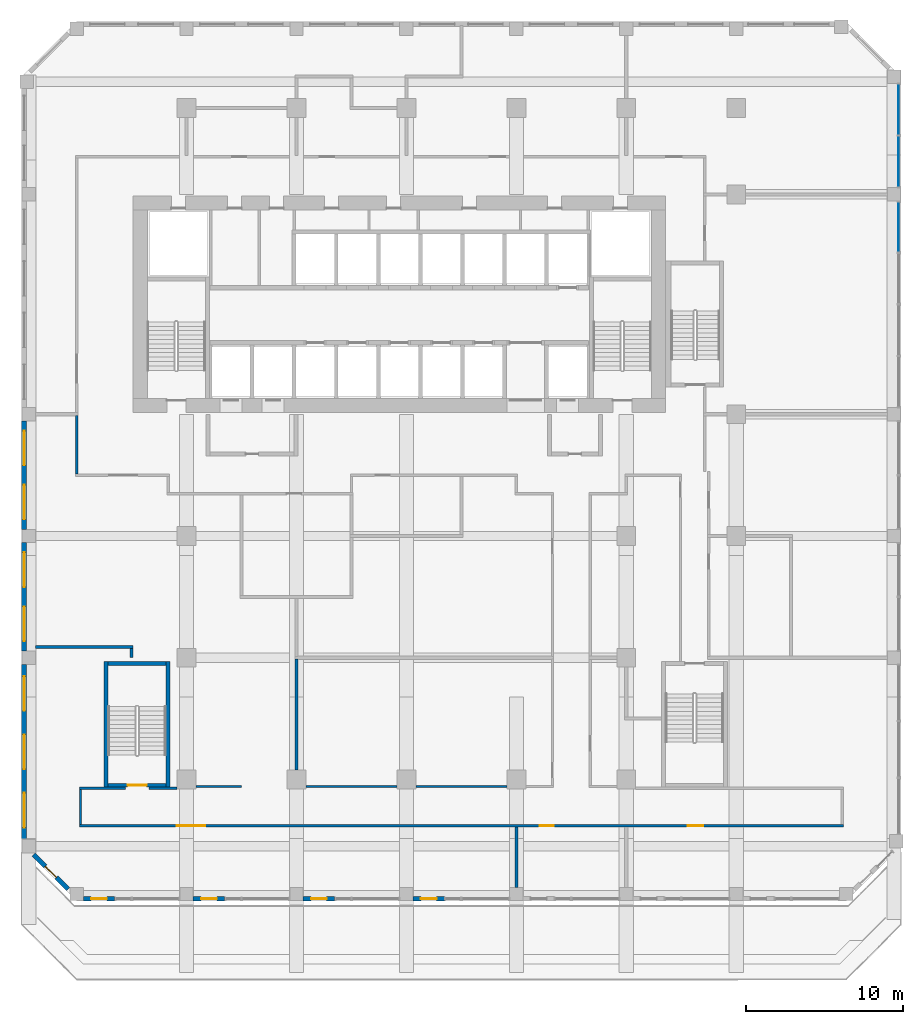
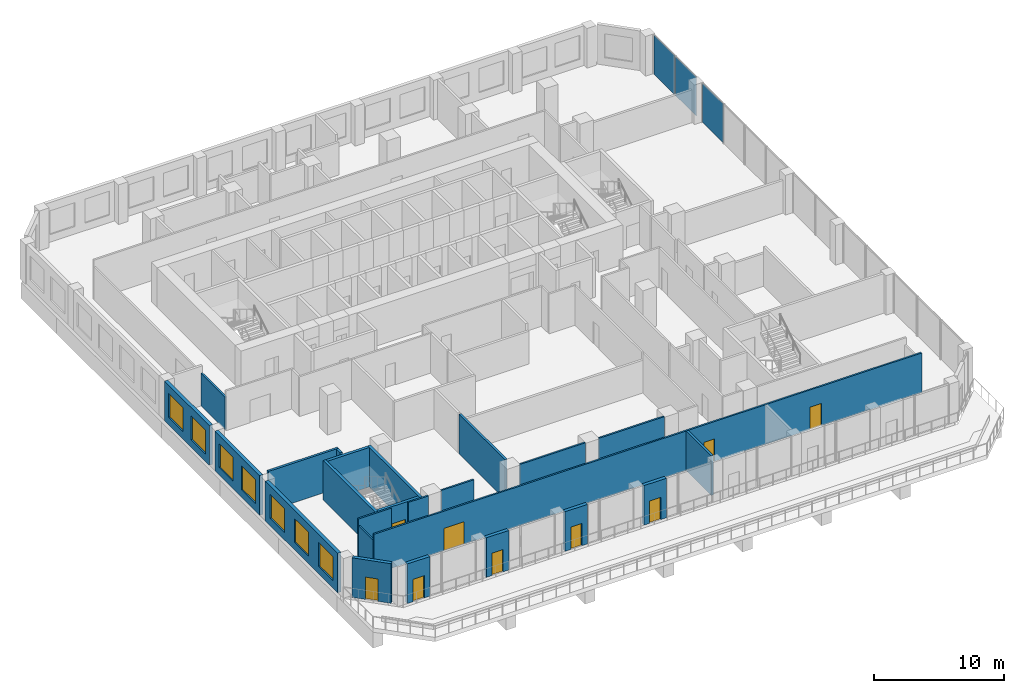
# One storey, part 9 of 17: 24 walls, 9 doors, 7 windows, 3 plates, 16 openings, 3 elements without a shape of their own.
"""IFC4 building model written with IfcOpenShell, lengths in metres."""

from ifc_helpers import new_model, si_unit, direction, frame, frame_2d, origin, origin_2d, place, context, subcontext, project, spatial, rectangle, extrude, source, transform, mapped, material, layer, layer_set, type_object, element, fill, aggregate, save


model = new_model("IFC4")

# Units and contexts
model_context = context("Model", 3, precision=1e-05, world=origin(), true_north=direction((0.0, 1.0)))
body_context = subcontext(model_context, "Body", "Model", "MODEL_VIEW")
ifc_project = project(units=[si_unit("LENGTHUNIT", "METRE"), si_unit("AREAUNIT", "SQUARE_METRE"), si_unit("VOLUMEUNIT", "CUBIC_METRE"), si_unit("PLANEANGLEUNIT", "RADIAN"), si_unit("MASSUNIT", "GRAM", prefix="KILO")], contexts=[model_context])

# Site, building, storey
site_placement = place(None, origin())
site = spatial("IfcSite", under=ifc_project, at=site_placement, CompositionType="ELEMENT")
building_placement = place(site_placement, origin())
building = spatial("IfcBuilding", under=site, at=building_placement, Name="Kilnfold Tower and Market Hall", CompositionType="ELEMENT")
storey_placement = place(building_placement, frame((0.0, 0.0, 100.60009765625)))
storey = spatial("IfcBuildingStorey", under=building, at=storey_placement, Name="L23", CompositionType="ELEMENT", Elevation=100.60009765625)

# Curtain wall, plate
ifc_material_1 = material(Name="Aluminium and double glazing", Category="aluminium")
curtain_wall_type = type_object("IfcCurtainWallType", Name="CW OF2 VALLEY GLAZING", PredefinedType="NOTDEFINED", material=ifc_material_1)
curtain_wall_1_placement = place(storey_placement, origin())
curtain_wall_1 = element("IfcCurtainWall", 1, at=curtain_wall_1_placement, inside=storey, type_object=curtain_wall_type, Name="Curtain wall CW2 L23 E", PredefinedType="NOTDEFINED")
ifc_material_2 = material(Name="Double glazed unit")
ifc_layer_1 = layer(ifc_material_2, 0.031982421875)
ifc_layer_set_1 = layer_set([ifc_layer_1], Name="Double glazed unit")
plate_type = type_object("IfcPlateType", Name="GLAZING PANEL 32", PredefinedType="CURTAIN_PANEL", material=ifc_layer_set_1)
shared_shape_1 = source(origin(), body_context, "Body", "SweptSolid", [
    extrude(rectangle(XDim=3.16748046875, YDim=0.031982421875, at=origin_2d()), origin(), (0.0, 0.0, 1.0), 3.659912109375),
])
plate_1_placement = place(storey_placement, frame((32.85009765625, 19.93115234375, 0.0), z_axis=(0.0, 0.0, 1.0), x_axis=(0.0, 1.0, 0.0)))
plate_1 = element("IfcPlate", 2, at=plate_1_placement, type_object=plate_type, Name="CW2 panel 1.1", PredefinedType="CURTAIN_PANEL", context=body_context, shape_type="MappedRepresentation", body=[
    mapped(shared_shape_1, transform((0.0, 0.0, 0.0))),
])
aggregate(curtain_wall_1, [plate_1])

curtain_wall_2_placement = place(storey_placement, origin())
curtain_wall_2 = element("IfcCurtainWall", 3, at=curtain_wall_2_placement, inside=storey, type_object=curtain_wall_type, Name="Curtain wall CW2 L23 E", PredefinedType="NOTDEFINED")
shared_shape_2 = source(origin(), body_context, "Body", "SweptSolid", [
    extrude(rectangle(XDim=3.205078125, YDim=0.031982421875, at=origin_2d()), origin(), (0.0, 0.0, 1.0), 3.659912109375),
])
plate_2_placement = place(storey_placement, frame((32.85009765625, 24.08740234375, 0.0), z_axis=(0.0, 0.0, 1.0), x_axis=(0.0, 1.0, 0.0)))
plate_2 = element("IfcPlate", 4, at=plate_2_placement, type_object=plate_type, Name="CW2 panel 1.1", PredefinedType="CURTAIN_PANEL", context=body_context, shape_type="MappedRepresentation", body=[
    mapped(shared_shape_2, transform((0.0, 0.0, 0.0))),
])
aggregate(curtain_wall_2, [plate_2])

curtain_wall_3_placement = place(storey_placement, origin())
curtain_wall_3 = element("IfcCurtainWall", 5, at=curtain_wall_3_placement, inside=storey, type_object=curtain_wall_type, Name="Curtain wall CW2 L23 E", PredefinedType="NOTDEFINED")
plate_3_placement = place(storey_placement, frame((32.85009765625, 27.41259765625, 0.0), z_axis=(0.0, 0.0, 1.0), x_axis=(0.0, 1.0, 0.0)))
plate_3 = element("IfcPlate", 6, at=plate_3_placement, type_object=plate_type, Name="CW2 panel 1.1", PredefinedType="CURTAIN_PANEL", context=body_context, shape_type="MappedRepresentation", body=[
    mapped(shared_shape_2, transform((0.0, 0.0, 0.0))),
])
aggregate(curtain_wall_3, [plate_3])

# Walls
ifc_material_3 = material(Name="Gypsum board on steel studs", Category="steel")
ifc_layer_2 = layer(ifc_material_3, 0.14990234375)
ifc_layer_set_2 = layer_set([ifc_layer_2], Name="Gypsum board on steel studs")
wall_type_1 = type_object("IfcWallType", Name="WALL CORRIDOR 150", PredefinedType="PARTITIONING", material=ifc_layer_set_2)
wall_1_placement = place(storey_placement, frame((-14.89990234375, -15.824951171875, 0.0), z_axis=(0.0, 0.0, 1.0), x_axis=(1.0, 0.0, 0.0)))
element("IfcWall", 7, at=wall_1_placement, inside=storey, type_object=wall_type_1, Name="Partition LY16.1", PredefinedType="PARTITIONING", context=body_context, shape_type="SweptSolid", body=[
    extrude(rectangle(XDim=1.7998046875, YDim=0.14990234375, at=frame_2d((0.89990234375, 0.0))), origin(), (0.0, 0.0, 1.0), 3.719970703125),
])
wall_2_placement = place(storey_placement, frame((-11.89990234375, -15.699951171875, 0.0), z_axis=(0.0, 0.0, 1.0), x_axis=(1.0, 0.0, 0.0)))
element("IfcWall", 8, at=wall_2_placement, inside=storey, type_object=wall_type_1, Name="Partition LY16.2", PredefinedType="PARTITIONING", context=body_context, shape_type="SweptSolid", body=[
    extrude(rectangle(XDim=2.909912109375, YDim=0.14990234375, at=frame_2d((1.455078125, 0.0))), origin(), (0.0, 0.0, 1.0), 3.719970703125),
])
wall_3_placement = place(storey_placement, frame((-19.5, 4.199951171875, 0.0), z_axis=(0.0, 0.0, 1.0), x_axis=(0.0, 1.0, 0.0)))
element("IfcWall", 9, at=wall_3_placement, inside=storey, type_object=wall_type_1, Name="Partition LY16.6", PredefinedType="PARTITIONING", context=body_context, shape_type="SweptSolid", body=[
    extrude(rectangle(XDim=3.7099609375, YDim=0.14990234375, at=frame_2d((1.85498046875, 0.0))), origin(), (0.0, 0.0, 1.0), 3.06982421875),
])

# Wall, openings, doors
wall_4_placement = place(storey_placement, frame((-19.324951171875, -18.199951171875, 0.0), z_axis=(0.0, 0.0, 1.0), x_axis=(1.0, 0.0, 0.0)))
wall_4 = element("IfcWall", 10, at=wall_4_placement, inside=storey, type_object=wall_type_1, Name="Partition LY16.7", PredefinedType="PARTITIONING", context=body_context, shape_type="SweptSolid", body=[
    extrude(rectangle(XDim=48.64990234375, YDim=0.14990234375, at=frame_2d((24.324951171875, 0.0))), origin(), (0.0, 0.0, 1.0), 3.719970703125),
])
opening_1_placement = place(wall_4_placement, frame((6.2080078125, 0.0, 0.0)))
opening_1 = element("IfcOpeningElement", 11, at=opening_1_placement, cuts=wall_4, Name="Opening D5", PredefinedType="OPENING", context=body_context, shape_type="SweptSolid", body=[
    extrude(rectangle(XDim=1.800048828125, YDim=2.10009765625, at=frame_2d((0.89990234375, 1.050048828125))), frame((0.0, 0.0849609375, 0.0), z_axis=(0.0, -1.0, 0.0), x_axis=(1.0, 0.0, 0.0)), (0.0, 0.0, 1.0), 0.169921875),
])
opening_2_placement = place(wall_4_placement, frame((29.320068359375, 0.0, 0.0)))
opening_2 = element("IfcOpeningElement", 12, at=opening_2_placement, cuts=wall_4, Name="Opening D2", PredefinedType="OPENING", context=body_context, shape_type="SweptSolid", body=[
    extrude(rectangle(XDim=0.89990234375, YDim=2.10009765625, at=frame_2d((0.449951171875, 1.050048828125))), frame((0.0, 0.0849609375, 0.0), z_axis=(0.0, -1.0, 0.0), x_axis=(1.0, 0.0, 0.0)), (0.0, 0.0, 1.0), 0.169921875),
])
opening_3_placement = place(wall_4_placement, frame((38.72509765625, 0.0, 0.0)))
opening_3 = element("IfcOpeningElement", 13, at=opening_3_placement, cuts=wall_4, Name="Opening D1", PredefinedType="OPENING", context=body_context, shape_type="SweptSolid", body=[
    extrude(rectangle(XDim=1.0, YDim=2.10009765625, at=frame_2d((0.5, 1.050048828125))), frame((0.0, 0.0849609375, 0.0), z_axis=(0.0, -1.0, 0.0), x_axis=(1.0, 0.0, 0.0)), (0.0, 0.0, 1.0), 0.169921875),
])
ifc_material_4 = material(Name="Timber veneer door leaf in steel frame", Category="steel")
door_type_1 = type_object("IfcDoorType", Name="DOOR DOUBLE 1800 X2100", OperationType="NOTDEFINED", PredefinedType="DOOR", material=ifc_material_4)
door_1_placement = place(opening_1_placement, origin())
door_1 = element("IfcDoor", 14, at=door_1_placement, inside=storey, type_object=door_type_1, Name="Door D5", OperationType="DOUBLE_DOOR_SINGLE_SWING", OverallHeight=2.10009765625, OverallWidth=1.800048828125, PredefinedType="DOOR", context=body_context, shape_type="SweptSolid", body=[
    extrude(rectangle(XDim=1.800048828125, YDim=2.10009765625, at=frame_2d((0.89990234375, 1.050048828125))), frame((0.0, 0.02490234375, 0.0), z_axis=(0.0, -1.0, 0.0), x_axis=(1.0, 0.0, 0.0)), (0.0, 0.0, 1.0), 0.050048828125),
])
fill(opening_1, door_1)
ifc_material_5 = material(Name="Timber veneer door leaf in steel frame", Category="steel")
door_type_2 = type_object("IfcDoorType", Name="DOOR ENTRY 1000 X2100", OperationType="NOTDEFINED", PredefinedType="DOOR", material=ifc_material_5)
door_2_placement = place(opening_3_placement, origin())
door_2 = element("IfcDoor", 15, at=door_2_placement, inside=storey, type_object=door_type_2, Name="Door D1", OperationType="SINGLE_SWING_RIGHT", OverallHeight=2.10009765625, OverallWidth=1.0, PredefinedType="DOOR", context=body_context, shape_type="SweptSolid", body=[
    extrude(rectangle(XDim=1.0, YDim=2.10009765625, at=frame_2d((0.5, 1.050048828125))), frame((0.0, 0.02490234375, 0.0), z_axis=(0.0, -1.0, 0.0), x_axis=(1.0, 0.0, 0.0)), (0.0, 0.0, 1.0), 0.050048828125),
])
fill(opening_3, door_2)
ifc_material_6 = material(Name="Timber veneer door leaf in steel frame", Category="steel")
door_type_3 = type_object("IfcDoorType", Name="DOOR ROOM 900 X2100", OperationType="NOTDEFINED", PredefinedType="DOOR", material=ifc_material_6)
door_3_placement = place(opening_2_placement, origin())
door_3 = element("IfcDoor", 16, at=door_3_placement, inside=storey, type_object=door_type_3, Name="Door D2", OperationType="SINGLE_SWING_RIGHT", OverallHeight=2.10009765625, OverallWidth=0.89990234375, PredefinedType="DOOR", context=body_context, shape_type="SweptSolid", body=[
    extrude(rectangle(XDim=0.89990234375, YDim=2.10009765625, at=frame_2d((0.449951171875, 1.050048828125))), frame((0.0, 0.02490234375, 0.0), z_axis=(0.0, -1.0, 0.0), x_axis=(1.0, 0.0, 0.0)), (0.0, 0.0, 1.0), 0.050048828125),
])
fill(opening_2, door_3)

# Walls
wall_5_placement = place(storey_placement, frame((-19.25, -15.89990234375, 0.0), z_axis=(0.0, 0.0, 1.0), x_axis=(0.0, -1.0, 0.0)))
element("IfcWall", 17, at=wall_5_placement, inside=storey, type_object=wall_type_1, Name="Partition LY16.8", PredefinedType="PARTITIONING", context=body_context, shape_type="SweptSolid", body=[
    extrude(rectangle(XDim=2.22509765625, YDim=0.14990234375, at=frame_2d((1.112548828125, 0.0))), origin(), (0.0, 0.0, 1.0), 3.06982421875),
])
wall_6_placement = place(storey_placement, frame((-19.324951171875, -15.824951171875, 0.0), z_axis=(0.0, 0.0, 1.0), x_axis=(1.0, 0.0, 0.0)))
element("IfcWall", 18, at=wall_6_placement, inside=storey, type_object=wall_type_1, Name="Partition LY16.9", PredefinedType="PARTITIONING", context=body_context, shape_type="SweptSolid", body=[
    extrude(rectangle(XDim=2.925048828125, YDim=0.14990234375, at=frame_2d((1.46240234375, 0.0))), origin(), (0.0, 0.0, 1.0), 3.719970703125),
])
for number, where, z_axis, x_axis, name in (
    (19, (-4.89990234375, -15.699951171875, 0.0), (0.0, 0.0, 1.0), (1.0, 0.0, 0.0), "Partition LY16.12"),
    (20, (2.10009765625, -15.699951171875, 0.0), (0.0, 0.0, 1.0), (1.0, 0.0, 0.0), "Partition LY16.13"),
):
    element("IfcWall", number, at=place(storey_placement, frame(where, z_axis=z_axis, x_axis=x_axis)), inside=storey, type_object=wall_type_1, Name=name, PredefinedType="PARTITIONING", context=body_context, shape_type="SweptSolid", body=[
        extrude(rectangle(XDim=5.7998046875, YDim=0.14990234375, at=frame_2d((2.89990234375, 0.0))), origin(), (0.0, 0.0, 1.0), 3.719970703125),
    ])
ifc_material_7 = material(Name="Gypsum board on steel studs", Category="steel")
ifc_layer_3 = layer(ifc_material_7, 0.199951171875)
ifc_layer_set_3 = layer_set([ifc_layer_3], Name="Gypsum board on steel studs")
wall_type_2 = type_object("IfcWallType", Name="WALL PARTY 200", PredefinedType="PARTITIONING", material=ifc_layer_set_3)
wall_7_placement = place(storey_placement, frame((-15.998046875, -6.91796875, 0.0), z_axis=(0.0, 0.0, 1.0), x_axis=(0.0, -1.0, 0.0)))
element("IfcWall", 21, at=wall_7_placement, inside=storey, type_object=wall_type_2, Name="Partition LY16.38", PredefinedType="PARTITIONING", context=body_context, shape_type="SweptSolid", body=[
    extrude(rectangle(XDim=0.583984375, YDim=0.199951171875, at=frame_2d((0.2919921875, 0.0))), origin(), (0.0, 0.0, 1.0), 3.719970703125),
])
wall_8_placement = place(storey_placement, frame((-22.126953125, -6.818115234375, 0.0), z_axis=(0.0, 0.0, 1.0), x_axis=(1.0, 0.0, 0.0)))
element("IfcWall", 22, at=wall_8_placement, inside=storey, type_object=wall_type_2, Name="Partition LY16.39", PredefinedType="PARTITIONING", context=body_context, shape_type="SweptSolid", body=[
    extrude(rectangle(XDim=6.22900390625, YDim=0.199951171875, at=frame_2d((3.114501953125, 0.0))), origin(), (0.0, 0.0, 1.0), 3.719970703125),
])
wall_9_placement = place(storey_placement, frame((-5.5, -14.64990234375, 0.0), z_axis=(0.0, 0.0, 1.0), x_axis=(0.0, 1.0, 0.0)))
element("IfcWall", 23, at=wall_9_placement, inside=storey, type_object=wall_type_2, Name="Partition LY16.40", PredefinedType="PARTITIONING", context=body_context, shape_type="SweptSolid", body=[
    extrude(rectangle(XDim=7.059814453125, YDim=0.199951171875, at=frame_2d((3.52978515625, 0.0))), origin(), (0.0, 0.0, 1.0), 3.719970703125),
])
wall_10_placement = place(storey_placement, frame((8.5, -22.125, 0.0), z_axis=(0.0, 0.0, 1.0), x_axis=(0.0, 1.0, 0.0)))
element("IfcWall", 24, at=wall_10_placement, inside=storey, type_object=wall_type_2, Name="Partition LY16.45", PredefinedType="PARTITIONING", context=body_context, shape_type="SweptSolid", body=[
    extrude(rectangle(XDim=3.84912109375, YDim=0.199951171875, at=frame_2d((1.924560546875, 0.0))), origin(), (0.0, 0.0, 1.0), 3.719970703125),
])

# Wall, opening, door
ifc_material_8 = material(Name="Concrete C70", Category="concrete")
ifc_layer_4 = layer(ifc_material_8, 0.25)
ifc_layer_set_4 = layer_set([ifc_layer_4], Name="Concrete C70")
wall_type_3 = type_object("IfcWallType", Name="CORE WALL 250 C70", PredefinedType="SHEAR", material=ifc_layer_set_4)
shared_shape_3 = source(origin(), body_context, "Body", "SweptSolid", [
    extrude(rectangle(XDim=3.699951171875, YDim=0.25, at=frame_2d((1.85009765625, 0.0))), origin(), (0.0, 0.0, 1.0), 3.719970703125),
])
wall_11_placement = place(storey_placement, frame((-17.5, -15.625, 0.0), z_axis=(0.0, 0.0, 1.0), x_axis=(1.0, 0.0, 0.0)))
wall_11 = element("IfcWall", 25, at=wall_11_placement, inside=storey, type_object=wall_type_3, Name="Stair enclosure ST3", PredefinedType="SHEAR", context=body_context, shape_type="MappedRepresentation", body=[
    mapped(shared_shape_3, transform((0.0, 0.0, 0.0))),
])
opening_4_placement = place(wall_11_placement, frame((1.25, 0.0, 0.0)))
opening_4 = element("IfcOpeningElement", 26, at=opening_4_placement, cuts=wall_11, Name="Opening SD1", PredefinedType="OPENING", context=body_context, shape_type="SweptSolid", body=[
    extrude(rectangle(XDim=1.199951171875, YDim=2.10009765625, at=frame_2d((0.60009765625, 1.050048828125))), frame((0.0, 0.135009765625, 0.0), z_axis=(0.0, -1.0, 0.0), x_axis=(1.0, 0.0, 0.0)), (0.0, 0.0, 1.0), 0.27001953125),
])
ifc_material_9 = material(Name="Steel door set with fire-resisting leaf", Category="steel")
door_type_4 = type_object("IfcDoorType", Name="STAIR FLOOR DOOR 1200X2100", OperationType="NOTDEFINED", PredefinedType="DOOR", material=ifc_material_9)
door_4_placement = place(opening_4_placement, origin())
door_4 = element("IfcDoor", 27, at=door_4_placement, inside=storey, type_object=door_type_4, Name="Exit stair ST3 door", OperationType="DOUBLE_DOOR_SINGLE_SWING", OverallHeight=2.10009765625, OverallWidth=1.199951171875, PredefinedType="DOOR", context=body_context, shape_type="SweptSolid", body=[
    extrude(rectangle(XDim=1.199951171875, YDim=2.10009765625, at=frame_2d((0.60009765625, 1.050048828125))), frame((0.0, 0.02490234375, 0.0), z_axis=(0.0, -1.0, 0.0), x_axis=(1.0, 0.0, 0.0)), (0.0, 0.0, 1.0), 0.050048828125),
])
fill(opening_4, door_4)

# Walls
wall_12_placement = place(storey_placement, frame((-17.5, -7.875, 0.0), z_axis=(0.0, 0.0, 1.0), x_axis=(1.0, 0.0, 0.0)))
element("IfcWall", 28, at=wall_12_placement, inside=storey, type_object=wall_type_3, Name="Stair enclosure ST3", PredefinedType="SHEAR", context=body_context, shape_type="MappedRepresentation", body=[
    mapped(shared_shape_3, transform((0.0, 0.0, 0.0))),
])
shared_shape_4 = source(origin(), body_context, "Body", "SweptSolid", [
    extrude(rectangle(XDim=8.0, YDim=0.25, at=frame_2d((4.0, 0.0))), origin(), (0.0, 0.0, 1.0), 3.719970703125),
])
for number, where, z_axis, x_axis, name in (
    (29, (-17.625, -15.75, 0.0), (0.0, 0.0, 1.0), (0.0, 1.0, 0.0), "Stair enclosure ST3"),
    (30, (-13.675048828125, -15.75, 0.0), (0.0, 0.0, 1.0), (0.0, 1.0, 0.0), "Stair enclosure ST3"),
):
    element("IfcWall", number, at=place(storey_placement, frame(where, z_axis=z_axis, x_axis=x_axis)), inside=storey, type_object=wall_type_3, Name=name, PredefinedType="SHEAR", context=body_context, shape_type="MappedRepresentation", body=[
        mapped(shared_shape_4, transform((0.0, 0.0, 0.0))),
    ])

# Wall, opening, door
ifc_material_10 = material(Name="Precast concrete C50/60", Category="concrete")
ifc_layer_5 = layer(ifc_material_10, 0.300048828125)
ifc_layer_set_5 = layer_set([ifc_layer_5], Name="Precast concrete C50/60")
wall_type_4 = type_object("IfcWallType", Name="PRECAST WALL 300", PredefinedType="SOLIDWALL", material=ifc_layer_set_5)
shared_shape_5 = source(origin(), body_context, "Body", "SweptSolid", [
    extrude(rectangle(XDim=2.0, YDim=0.300048828125, at=frame_2d((1.0, 0.0))), origin(), (0.0, 0.0, 1.0), 3.719970703125),
])
wall_13_placement = place(storey_placement, frame((-19.074951171875, -22.85009765625, 0.0), z_axis=(0.0, 0.0, 1.0), x_axis=(1.0, 0.0, 0.0)))
wall_13 = element("IfcWall", 31, at=wall_13_placement, inside=storey, type_object=wall_type_4, Name="External wall L23 S", PredefinedType="SOLIDWALL", context=body_context, shape_type="MappedRepresentation", body=[
    mapped(shared_shape_5, transform((0.0, 0.0, 0.0))),
])
opening_5_placement = place(wall_13_placement, frame((0.5, 0.0, 0.0)))
opening_5 = element("IfcOpeningElement", 32, at=opening_5_placement, cuts=wall_13, Name="Opening BD1", PredefinedType="OPENING", context=body_context, shape_type="SweptSolid", body=[
    extrude(rectangle(XDim=1.0, YDim=2.10009765625, at=frame_2d((0.5, 1.050048828125))), frame((0.0, 0.16015625, 0.0), z_axis=(0.0, -1.0, 0.0), x_axis=(1.0, 0.0, 0.0)), (0.0, 0.0, 1.0), 0.320068359375),
])
ifc_material_11 = material(Name="Aluminium frame and double glazing", Category="aluminium")
door_type_5 = type_object("IfcDoorType", Name="BALCONY DOOR 1000X2100", OperationType="NOTDEFINED", PredefinedType="DOOR", material=ifc_material_11)
door_5_placement = place(opening_5_placement, origin())
door_5 = element("IfcDoor", 33, at=door_5_placement, inside=storey, type_object=door_type_5, Name="Balcony door BD1 L23 S-1", OperationType="SINGLE_SWING_LEFT", OverallHeight=2.10009765625, OverallWidth=1.0, PredefinedType="DOOR", context=body_context, shape_type="SweptSolid", body=[
    extrude(rectangle(XDim=1.0, YDim=2.10009765625, at=frame_2d((0.5, 1.050048828125))), frame((0.0, 0.02490234375, 0.0), z_axis=(0.0, -1.0, 0.0), x_axis=(1.0, 0.0, 0.0)), (0.0, 0.0, 1.0), 0.050048828125),
])
fill(opening_5, door_5)

wall_14_placement = place(storey_placement, frame((-12.074951171875, -22.85009765625, 0.0), z_axis=(0.0, 0.0, 1.0), x_axis=(1.0, 0.0, 0.0)))
wall_14 = element("IfcWall", 34, at=wall_14_placement, inside=storey, type_object=wall_type_4, Name="External wall L23 S", PredefinedType="SOLIDWALL", context=body_context, shape_type="MappedRepresentation", body=[
    mapped(shared_shape_5, transform((0.0, 0.0, 0.0))),
])
opening_6_placement = place(wall_14_placement, frame((0.5, 0.0, 0.0)))
opening_6 = element("IfcOpeningElement", 35, at=opening_6_placement, cuts=wall_14, Name="Opening BD1", PredefinedType="OPENING", context=body_context, shape_type="SweptSolid", body=[
    extrude(rectangle(XDim=1.0, YDim=2.10009765625, at=frame_2d((0.5, 1.050048828125))), frame((0.0, 0.16015625, 0.0), z_axis=(0.0, -1.0, 0.0), x_axis=(1.0, 0.0, 0.0)), (0.0, 0.0, 1.0), 0.320068359375),
])
door_6_placement = place(opening_6_placement, origin())
door_6 = element("IfcDoor", 36, at=door_6_placement, inside=storey, type_object=door_type_5, Name="Balcony door BD1 L23 S-1", OperationType="SINGLE_SWING_LEFT", OverallHeight=2.10009765625, OverallWidth=1.0, PredefinedType="DOOR", context=body_context, shape_type="SweptSolid", body=[
    extrude(rectangle(XDim=1.0, YDim=2.10009765625, at=frame_2d((0.5, 1.050048828125))), frame((0.0, 0.02490234375, 0.0), z_axis=(0.0, -1.0, 0.0), x_axis=(1.0, 0.0, 0.0)), (0.0, 0.0, 1.0), 0.050048828125),
])
fill(opening_6, door_6)

wall_15_placement = place(storey_placement, frame((-5.074951171875, -22.85009765625, 0.0), z_axis=(0.0, 0.0, 1.0), x_axis=(1.0, 0.0, 0.0)))
wall_15 = element("IfcWall", 37, at=wall_15_placement, inside=storey, type_object=wall_type_4, Name="External wall L23 S", PredefinedType="SOLIDWALL", context=body_context, shape_type="MappedRepresentation", body=[
    mapped(shared_shape_5, transform((0.0, 0.0, 0.0))),
])
opening_7_placement = place(wall_15_placement, frame((0.5, 0.0, 0.0)))
opening_7 = element("IfcOpeningElement", 38, at=opening_7_placement, cuts=wall_15, Name="Opening BD1", PredefinedType="OPENING", context=body_context, shape_type="SweptSolid", body=[
    extrude(rectangle(XDim=1.0, YDim=2.10009765625, at=frame_2d((0.5, 1.050048828125))), frame((0.0, 0.16015625, 0.0), z_axis=(0.0, -1.0, 0.0), x_axis=(1.0, 0.0, 0.0)), (0.0, 0.0, 1.0), 0.320068359375),
])
door_7_placement = place(opening_7_placement, origin())
door_7 = element("IfcDoor", 39, at=door_7_placement, inside=storey, type_object=door_type_5, Name="Balcony door BD1 L23 S-1", OperationType="SINGLE_SWING_LEFT", OverallHeight=2.10009765625, OverallWidth=1.0, PredefinedType="DOOR", context=body_context, shape_type="SweptSolid", body=[
    extrude(rectangle(XDim=1.0, YDim=2.10009765625, at=frame_2d((0.5, 1.050048828125))), frame((0.0, 0.02490234375, 0.0), z_axis=(0.0, -1.0, 0.0), x_axis=(1.0, 0.0, 0.0)), (0.0, 0.0, 1.0), 0.050048828125),
])
fill(opening_7, door_7)

wall_16_placement = place(storey_placement, frame((1.925048828125, -22.85009765625, 0.0), z_axis=(0.0, 0.0, 1.0), x_axis=(1.0, 0.0, 0.0)))
wall_16 = element("IfcWall", 40, at=wall_16_placement, inside=storey, type_object=wall_type_4, Name="External wall L23 S", PredefinedType="SOLIDWALL", context=body_context, shape_type="MappedRepresentation", body=[
    mapped(shared_shape_5, transform((0.0, 0.0, 0.0))),
])
opening_8_placement = place(wall_16_placement, frame((0.5, 0.0, 0.0)))
opening_8 = element("IfcOpeningElement", 41, at=opening_8_placement, cuts=wall_16, Name="Opening BD1", PredefinedType="OPENING", context=body_context, shape_type="SweptSolid", body=[
    extrude(rectangle(XDim=1.0, YDim=2.10009765625, at=frame_2d((0.5, 1.050048828125))), frame((0.0, 0.16015625, 0.0), z_axis=(0.0, -1.0, 0.0), x_axis=(1.0, 0.0, 0.0)), (0.0, 0.0, 1.0), 0.320068359375),
])
door_8_placement = place(opening_8_placement, origin())
door_8 = element("IfcDoor", 42, at=door_8_placement, inside=storey, type_object=door_type_5, Name="Balcony door BD1 L23 S-1", OperationType="SINGLE_SWING_LEFT", OverallHeight=2.10009765625, OverallWidth=1.0, PredefinedType="DOOR", context=body_context, shape_type="SweptSolid", body=[
    extrude(rectangle(XDim=1.0, YDim=2.10009765625, at=frame_2d((0.5, 1.050048828125))), frame((0.0, 0.02490234375, 0.0), z_axis=(0.0, -1.0, 0.0), x_axis=(1.0, 0.0, 0.0)), (0.0, 0.0, 1.0), 0.050048828125),
])
fill(opening_8, door_8)

# Wall, openings, windows
shared_shape_6 = source(origin(), body_context, "Body", "SweptSolid", [
    extrude(rectangle(XDim=6.89990234375, YDim=0.300048828125, at=frame_2d((3.449951171875, 0.0))), origin(), (0.0, 0.0, 1.0), 3.719970703125),
])
wall_17_placement = place(storey_placement, frame((-22.85009765625, 7.574951171875, 0.0), z_axis=(0.0, 0.0, 1.0), x_axis=(0.0, -1.0, 0.0)))
wall_17 = element("IfcWall", 43, at=wall_17_placement, inside=storey, type_object=wall_type_4, Name="External wall L23 W", PredefinedType="SOLIDWALL", context=body_context, shape_type="MappedRepresentation", body=[
    mapped(shared_shape_6, transform((0.0, 0.0, 0.0))),
])
opening_9_placement = place(wall_17_placement, frame((0.625, 0.0, 0.699951171875)))
opening_9 = element("IfcOpeningElement", 44, at=opening_9_placement, cuts=wall_17, Name="Opening W1", PredefinedType="OPENING", context=body_context, shape_type="SweptSolid", body=[
    extrude(rectangle(XDim=2.199951171875, YDim=2.25, at=frame_2d((1.10009765625, 1.125))), frame((0.0, 0.16015625, 0.0), z_axis=(0.0, -1.0, 0.0), x_axis=(1.0, 0.0, 0.0)), (0.0, 0.0, 1.0), 0.320068359375),
])
opening_10_placement = place(wall_17_placement, frame((4.074951171875, 0.0, 0.699951171875)))
opening_10 = element("IfcOpeningElement", 45, at=opening_10_placement, cuts=wall_17, Name="Opening W1", PredefinedType="OPENING", context=body_context, shape_type="SweptSolid", body=[
    extrude(rectangle(XDim=2.199951171875, YDim=2.25, at=frame_2d((1.10009765625, 1.125))), frame((0.0, 0.16015625, 0.0), z_axis=(0.0, -1.0, 0.0), x_axis=(1.0, 0.0, 0.0)), (0.0, 0.0, 1.0), 0.320068359375),
])
ifc_material_12 = material(Name="Aluminium frame and double glazing", Category="aluminium")
window_type = type_object("IfcWindowType", Name="WINDOW W1 2200X2250", PartitioningType="SINGLE_PANEL", PredefinedType="WINDOW", material=ifc_material_12)
window_1_placement = place(opening_9_placement, origin())
window_1 = element("IfcWindow", 46, at=window_1_placement, inside=storey, type_object=window_type, Name="Window W1 L23 W-1", OverallHeight=2.25, OverallWidth=2.199951171875, PartitioningType="SINGLE_PANEL", PredefinedType="WINDOW", context=body_context, shape_type="SweptSolid", body=[
    extrude(rectangle(XDim=2.199951171875, YDim=2.25, at=frame_2d((1.10009765625, 1.125))), frame((0.0, 0.030029296875, 0.0), z_axis=(0.0, -1.0, 0.0), x_axis=(1.0, 0.0, 0.0)), (0.0, 0.0, 1.0), 0.06005859375),
])
fill(opening_9, window_1)
window_2_placement = place(opening_10_placement, origin())
window_2 = element("IfcWindow", 47, at=window_2_placement, inside=storey, type_object=window_type, Name="Window W1 L23 W-2", OverallHeight=2.25, OverallWidth=2.199951171875, PartitioningType="SINGLE_PANEL", PredefinedType="WINDOW", context=body_context, shape_type="SweptSolid", body=[
    extrude(rectangle(XDim=2.199951171875, YDim=2.25, at=frame_2d((1.10009765625, 1.125))), frame((0.0, 0.030029296875, 0.0), z_axis=(0.0, -1.0, 0.0), x_axis=(1.0, 0.0, 0.0)), (0.0, 0.0, 1.0), 0.06005859375),
])
fill(opening_10, window_2)

wall_18_placement = place(storey_placement, frame((-22.85009765625, -0.175048828125, 0.0), z_axis=(0.0, 0.0, 1.0), x_axis=(0.0, -1.0, 0.0)))
wall_18 = element("IfcWall", 48, at=wall_18_placement, inside=storey, type_object=wall_type_4, Name="External wall L23 W", PredefinedType="SOLIDWALL", context=body_context, shape_type="MappedRepresentation", body=[
    mapped(shared_shape_6, transform((0.0, 0.0, 0.0))),
])
opening_11_placement = place(wall_18_placement, frame((0.625, 0.0, 0.699951171875)))
opening_11 = element("IfcOpeningElement", 49, at=opening_11_placement, cuts=wall_18, Name="Opening W1", PredefinedType="OPENING", context=body_context, shape_type="SweptSolid", body=[
    extrude(rectangle(XDim=2.199951171875, YDim=2.25, at=frame_2d((1.10009765625, 1.125))), frame((0.0, 0.16015625, 0.0), z_axis=(0.0, -1.0, 0.0), x_axis=(1.0, 0.0, 0.0)), (0.0, 0.0, 1.0), 0.320068359375),
])
opening_12_placement = place(wall_18_placement, frame((4.074951171875, 0.0, 0.699951171875)))
opening_12 = element("IfcOpeningElement", 50, at=opening_12_placement, cuts=wall_18, Name="Opening W1", PredefinedType="OPENING", context=body_context, shape_type="SweptSolid", body=[
    extrude(rectangle(XDim=2.199951171875, YDim=2.25, at=frame_2d((1.10009765625, 1.125))), frame((0.0, 0.16015625, 0.0), z_axis=(0.0, -1.0, 0.0), x_axis=(1.0, 0.0, 0.0)), (0.0, 0.0, 1.0), 0.320068359375),
])
window_3_placement = place(opening_11_placement, origin())
window_3 = element("IfcWindow", 51, at=window_3_placement, inside=storey, type_object=window_type, Name="Window W1 L23 W-1", OverallHeight=2.25, OverallWidth=2.199951171875, PartitioningType="SINGLE_PANEL", PredefinedType="WINDOW", context=body_context, shape_type="SweptSolid", body=[
    extrude(rectangle(XDim=2.199951171875, YDim=2.25, at=frame_2d((1.10009765625, 1.125))), frame((0.0, 0.030029296875, 0.0), z_axis=(0.0, -1.0, 0.0), x_axis=(1.0, 0.0, 0.0)), (0.0, 0.0, 1.0), 0.06005859375),
])
fill(opening_11, window_3)
window_4_placement = place(opening_12_placement, origin())
window_4 = element("IfcWindow", 52, at=window_4_placement, inside=storey, type_object=window_type, Name="Window W1 L23 W-2", OverallHeight=2.25, OverallWidth=2.199951171875, PartitioningType="SINGLE_PANEL", PredefinedType="WINDOW", context=body_context, shape_type="SweptSolid", body=[
    extrude(rectangle(XDim=2.199951171875, YDim=2.25, at=frame_2d((1.10009765625, 1.125))), frame((0.0, 0.030029296875, 0.0), z_axis=(0.0, -1.0, 0.0), x_axis=(1.0, 0.0, 0.0)), (0.0, 0.0, 1.0), 0.06005859375),
])
fill(opening_12, window_4)

shared_shape_7 = source(origin(), body_context, "Body", "SweptSolid", [
    extrude(rectangle(XDim=11.14990234375, YDim=0.300048828125, at=frame_2d((5.574951171875, 0.0))), origin(), (0.0, 0.0, 1.0), 3.719970703125),
])
wall_19_placement = place(storey_placement, frame((-22.85009765625, -7.925048828125, 0.0), z_axis=(0.0, 0.0, 1.0), x_axis=(0.0, -1.0, 0.0)))
wall_19 = element("IfcWall", 53, at=wall_19_placement, inside=storey, type_object=wall_type_4, Name="External wall L23 W", PredefinedType="SOLIDWALL", context=body_context, shape_type="MappedRepresentation", body=[
    mapped(shared_shape_7, transform((0.0, 0.0, 0.0))),
])
opening_13_placement = place(wall_19_placement, frame((0.75830078125, 0.0, 0.699951171875)))
opening_13 = element("IfcOpeningElement", 54, at=opening_13_placement, cuts=wall_19, Name="Opening W1", PredefinedType="OPENING", context=body_context, shape_type="SweptSolid", body=[
    extrude(rectangle(XDim=2.199951171875, YDim=2.25, at=frame_2d((1.10009765625, 1.125))), frame((0.0, 0.16015625, 0.0), z_axis=(0.0, -1.0, 0.0), x_axis=(1.0, 0.0, 0.0)), (0.0, 0.0, 1.0), 0.320068359375),
])
opening_14_placement = place(wall_19_placement, frame((4.47509765625, 0.0, 0.699951171875)))
opening_14 = element("IfcOpeningElement", 55, at=opening_14_placement, cuts=wall_19, Name="Opening W1", PredefinedType="OPENING", context=body_context, shape_type="SweptSolid", body=[
    extrude(rectangle(XDim=2.199951171875, YDim=2.25, at=frame_2d((1.10009765625, 1.125))), frame((0.0, 0.16015625, 0.0), z_axis=(0.0, -1.0, 0.0), x_axis=(1.0, 0.0, 0.0)), (0.0, 0.0, 1.0), 0.320068359375),
])
opening_15_placement = place(wall_19_placement, frame((8.191650390625, 0.0, 0.699951171875)))
opening_15 = element("IfcOpeningElement", 56, at=opening_15_placement, cuts=wall_19, Name="Opening W1", PredefinedType="OPENING", context=body_context, shape_type="SweptSolid", body=[
    extrude(rectangle(XDim=2.199951171875, YDim=2.25, at=frame_2d((1.10009765625, 1.125))), frame((0.0, 0.16015625, 0.0), z_axis=(0.0, -1.0, 0.0), x_axis=(1.0, 0.0, 0.0)), (0.0, 0.0, 1.0), 0.320068359375),
])
window_5_placement = place(opening_13_placement, origin())
window_5 = element("IfcWindow", 57, at=window_5_placement, inside=storey, type_object=window_type, Name="Window W1 L23 W-1", OverallHeight=2.25, OverallWidth=2.199951171875, PartitioningType="SINGLE_PANEL", PredefinedType="WINDOW", context=body_context, shape_type="SweptSolid", body=[
    extrude(rectangle(XDim=2.199951171875, YDim=2.25, at=frame_2d((1.10009765625, 1.125))), frame((0.0, 0.030029296875, 0.0), z_axis=(0.0, -1.0, 0.0), x_axis=(1.0, 0.0, 0.0)), (0.0, 0.0, 1.0), 0.06005859375),
])
fill(opening_13, window_5)
window_6_placement = place(opening_14_placement, origin())
window_6 = element("IfcWindow", 58, at=window_6_placement, inside=storey, type_object=window_type, Name="Window W1 L23 W-2", OverallHeight=2.25, OverallWidth=2.199951171875, PartitioningType="SINGLE_PANEL", PredefinedType="WINDOW", context=body_context, shape_type="SweptSolid", body=[
    extrude(rectangle(XDim=2.199951171875, YDim=2.25, at=frame_2d((1.10009765625, 1.125))), frame((0.0, 0.030029296875, 0.0), z_axis=(0.0, -1.0, 0.0), x_axis=(1.0, 0.0, 0.0)), (0.0, 0.0, 1.0), 0.06005859375),
])
fill(opening_14, window_6)
window_7_placement = place(opening_15_placement, origin())
window_7 = element("IfcWindow", 59, at=window_7_placement, inside=storey, type_object=window_type, Name="Window W1 L23 W-3", OverallHeight=2.25, OverallWidth=2.199951171875, PartitioningType="SINGLE_PANEL", PredefinedType="WINDOW", context=body_context, shape_type="SweptSolid", body=[
    extrude(rectangle(XDim=2.199951171875, YDim=2.25, at=frame_2d((1.10009765625, 1.125))), frame((0.0, 0.030029296875, 0.0), z_axis=(0.0, -1.0, 0.0), x_axis=(1.0, 0.0, 0.0)), (0.0, 0.0, 1.0), 0.06005859375),
])
fill(opening_15, window_7)

# Wall, opening, door
shared_shape_8 = source(origin(), body_context, "Body", "SweptSolid", [
    extrude(rectangle(XDim=3.111083984375, YDim=0.300048828125, at=frame_2d((1.5556640625, 0.0))), origin(), (0.0, 0.0, 1.0), 3.719970703125),
])
wall_20_placement = place(storey_placement, frame((-22.243896484375, -20.0439453125, 0.0), z_axis=(0.0, 0.0, 1.0), x_axis=(0.707106781187, -0.707106781187, 0.0)))
wall_20 = element("IfcWall", 60, at=wall_20_placement, inside=storey, type_object=wall_type_4, Name="External wall L23 SW", PredefinedType="SOLIDWALL", context=body_context, shape_type="MappedRepresentation", body=[
    mapped(shared_shape_8, transform((0.0, 0.0, 0.0))),
])
opening_16_placement = place(wall_20_placement, frame((1.0556640625, 0.0, 0.0)))
opening_16 = element("IfcOpeningElement", 61, at=opening_16_placement, cuts=wall_20, Name="Opening BD1", PredefinedType="OPENING", context=body_context, shape_type="SweptSolid", body=[
    extrude(rectangle(XDim=1.0, YDim=2.10009765625, at=frame_2d((0.5, 1.050048828125))), frame((0.0, 0.16015625, 0.0), z_axis=(0.0, -1.0, 0.0), x_axis=(1.0, 0.0, 0.0)), (0.0, 0.0, 1.0), 0.320068359375),
])
door_9_placement = place(opening_16_placement, origin())
door_9 = element("IfcDoor", 62, at=door_9_placement, inside=storey, type_object=door_type_5, Name="Balcony door BD1 L23 SW-1", OperationType="SINGLE_SWING_LEFT", OverallHeight=2.10009765625, OverallWidth=1.0, PredefinedType="DOOR", context=body_context, shape_type="SweptSolid", body=[
    extrude(rectangle(XDim=1.0, YDim=2.10009765625, at=frame_2d((0.5, 1.050048828125))), frame((0.0, 0.02490234375, 0.0), z_axis=(0.0, -1.0, 0.0), x_axis=(1.0, 0.0, 0.0)), (0.0, 0.0, 1.0), 0.050048828125),
])
fill(opening_16, door_9)

save(model, "model.ifc")
